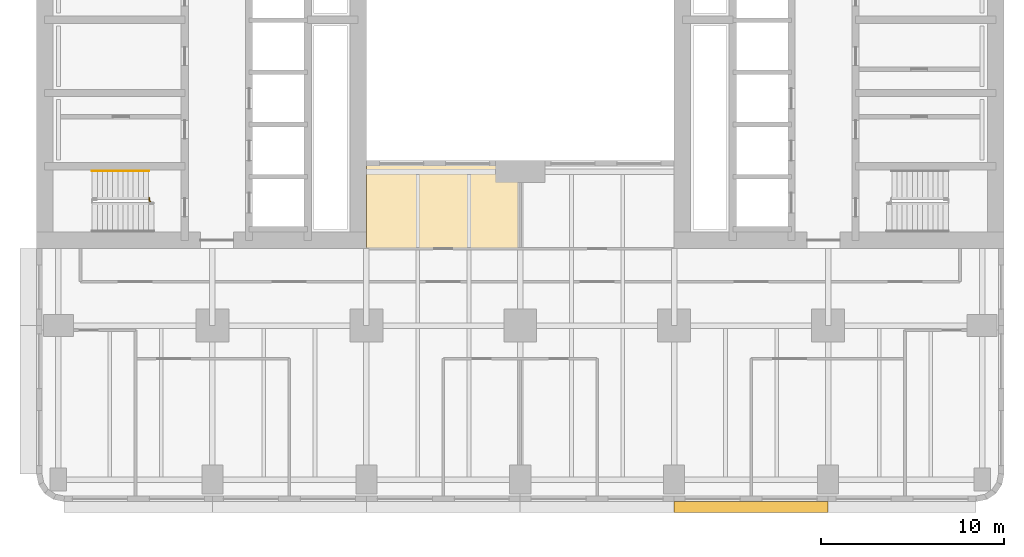
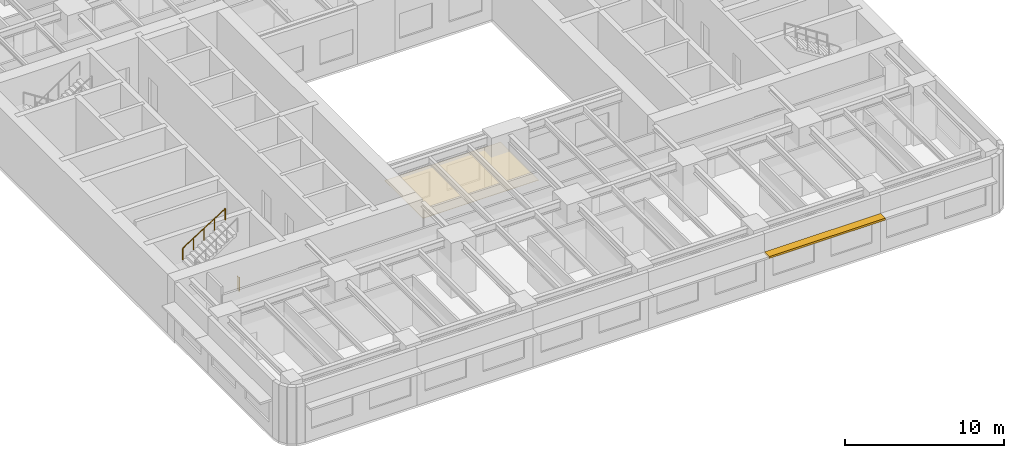
# One storey, part 10 of 14: 2 railings, 1 covering, 1 shading device.
"""IFC4 building model written with IfcOpenShell, lengths in metres."""

import ifcopenshell
import ifcopenshell.guid

model = None  # the IFC model being written
_history = None  # IfcOwnerHistory: only IFC2X3 demands one
_inside = {}  # id of a spatial element -> (the spatial element, [elements in it])
_under = {}  # id of a project, library or spatial element -> (it, [spatial elements below it])
_declared = {}  # id of a project -> (the project, [libraries it declares])
_typed = {}  # id of a type object -> (the type object, [elements of that type])
_made_of = {}  # id of a material, layer set ... -> (it, [elements and type objects made of it])


def new_model(schema):
    """Start an empty IFC model of exactly this schema.

    Asked for "IFC4X3", IfcOpenShell would pick the latest addendum, in which some entities
    have other attributes; the version numbers below select the first issue.
    IFC2X3 requires an IfcOwnerHistory on every rooted entity: one is made here for all.
    """
    global model, _history
    if schema == "IFC4X3":
        model = ifcopenshell.file(schema_version=(4, 3, 0, 0))
    else:
        model = ifcopenshell.file(schema=schema)
    _inside.clear()
    _under.clear()
    _declared.clear()
    _typed.clear()
    _made_of.clear()
    _history = None
    if model.schema == "IFC2X3":
        org = make("IfcOrganization", Name="unknown")
        user = make(
            "IfcPersonAndOrganization",
            ThePerson=make("IfcPerson", FamilyName="unknown"),
            TheOrganization=org,
        )
        app = make(
            "IfcApplication",
            ApplicationDeveloper=org,
            Version="unknown",
            ApplicationFullName="unknown",
            ApplicationIdentifier="unknown",
        )
        _history = make(
            "IfcOwnerHistory",
            OwningUser=user,
            OwningApplication=app,
            ChangeAction="ADDED",
            CreationDate=0,
        )
    return model


def make(cls, **values):
    """One entity of the class cls with the attributes given. An attribute that is None is left unset."""
    return model.create_entity(
        cls, **{name: value for name, value in values.items() if value is not None}
    )


def rooted(cls, **values):
    """An entity with a GlobalId (a new one), such as an element, a storey or a relation."""
    return make(cls, GlobalId=ifcopenshell.guid.new(), OwnerHistory=_history, **values)


def si_unit(unit_type, name, prefix=None):
    """IfcSIUnit, for example si_unit("LENGTHUNIT", "METRE", prefix="MILLI")."""
    return make("IfcSIUnit", UnitType=unit_type, Prefix=prefix, Name=name)


def assignment(units):
    """IfcUnitAssignment: the units of a project."""
    return None if units is None else make("IfcUnitAssignment", Units=units)


def point(xyz):
    """IfcCartesianPoint."""
    return None if xyz is None else make("IfcCartesianPoint", Coordinates=xyz)


def direction(xyz):
    """IfcDirection."""
    return None if xyz is None else make("IfcDirection", DirectionRatios=xyz)


def frame(location, z_axis=None, x_axis=None):
    """IfcAxis2Placement3D, a coordinate frame: its origin and axes. An axis left out is left unset."""
    return make(
        "IfcAxis2Placement3D",
        Location=point(location),
        Axis=direction(z_axis),
        RefDirection=direction(x_axis),
    )


def frame_2d(location, x_axis=None):
    """IfcAxis2Placement2D, a coordinate frame in the plane: its origin and x axis."""
    return make(
        "IfcAxis2Placement2D", Location=point(location), RefDirection=direction(x_axis)
    )


def origin():
    """The frame at (0, 0, 0) with its axes left unset."""
    return frame((0.0, 0.0, 0.0))


def origin_2d():
    """The frame at (0, 0) in the plane with its x axis left unset."""
    return frame_2d((0.0, 0.0))


def place(relative_to, where):
    """IfcLocalPlacement: puts the frame where relative to a parent placement (None: the world)."""
    return make(
        "IfcLocalPlacement", PlacementRelTo=relative_to, RelativePlacement=where
    )


def context(
    kind, dimensions, precision=None, world=None, true_north=None, identifier=None
):
    """IfcGeometricRepresentationContext, for example the 3D "Model" context."""
    return make(
        "IfcGeometricRepresentationContext",
        ContextIdentifier=identifier,
        ContextType=kind,
        CoordinateSpaceDimension=dimensions,
        Precision=precision,
        WorldCoordinateSystem=world,
        TrueNorth=true_north,
    )


def subcontext(parent, identifier, kind, view, scale=None):
    """IfcGeometricRepresentationSubContext, for example "Body" below "Model"."""
    return make(
        "IfcGeometricRepresentationSubContext",
        ContextIdentifier=identifier,
        ContextType=kind,
        ParentContext=parent,
        TargetScale=scale,
        TargetView=view,
    )


def project(units=None, contexts=None):
    """IfcProject with its units and contexts."""
    return rooted(
        "IfcProject",
        Name="project",
        RepresentationContexts=contexts,
        UnitsInContext=assignment(units),
    )


def spatial(cls, under=None, at=None, **own):
    """A site, building, storey or space (cls), placed at a placement, below another one or the project."""
    s = rooted(cls, ObjectPlacement=at, **own)
    if under is not None:
        _under.setdefault(under.id(), (under, []))[1].append(s)
    return s


def polyline(points):
    """IfcPolyline through the points."""
    return make("IfcPolyline", Points=[point(p) for p in points])


def profile(cls, at=None, kind="AREA", **sizes):
    """A parametric profile (cls). Its sizes go by their IFC names, for example OverallWidth=200.0."""
    return make(cls, ProfileType=kind, Position=at, **sizes)


def rectangle(**sizes):
    """IfcRectangleProfileDef."""
    return profile("IfcRectangleProfileDef", **sizes)


def circle(**sizes):
    """IfcCircleProfileDef."""
    return profile("IfcCircleProfileDef", **sizes)


def outline(outer, holes=None, kind="AREA"):
    """IfcArbitraryClosedProfileDef: a profile drawn as a closed curve; with holes, ...WithVoids."""
    if holes is None:
        return make("IfcArbitraryClosedProfileDef", ProfileType=kind, OuterCurve=outer)
    return make(
        "IfcArbitraryProfileDefWithVoids",
        ProfileType=kind,
        OuterCurve=outer,
        InnerCurves=holes,
    )


def extrude(swept, where, along, depth):
    """IfcExtrudedAreaSolid: the profile swept, set in the frame where, extruded along a direction by depth."""
    return make(
        "IfcExtrudedAreaSolid",
        SweptArea=swept,
        Position=where,
        ExtrudedDirection=direction(along),
        Depth=depth,
    )


def shape(context_of_items, identifier, shape_type, items):
    """IfcShapeRepresentation: the items that make up one representation, for example the "Body"."""
    return make(
        "IfcShapeRepresentation",
        ContextOfItems=context_of_items,
        RepresentationIdentifier=identifier,
        RepresentationType=shape_type,
        Items=items,
    )


def material(Name=None, Category=None):
    """IfcMaterial."""
    return make("IfcMaterial", Name=Name, Category=Category)


def layer(
    of_material, thickness, ventilated=None, Name=None, Category=None, Priority=None
):
    """IfcMaterialLayer: one layer of a wall or slab, of a material (None: an air gap)."""
    return make(
        "IfcMaterialLayer",
        Material=of_material,
        LayerThickness=thickness,
        IsVentilated=ventilated,
        Name=Name,
        Category=Category,
        Priority=Priority,
    )


def layer_set(layers, Name=None):
    """IfcMaterialLayerSet."""
    return make("IfcMaterialLayerSet", MaterialLayers=layers, LayerSetName=Name)


def made_of(thing, what):
    """Note that an element or type object is made of a material, layer set ...; save() writes the relation."""
    if what is not None:
        _made_of.setdefault(what.id(), (what, []))[1].append(thing)
    return thing


def type_object(cls, material=None, **own):
    """A type object (cls), such as IfcWallType, which elements share."""
    return made_of(rooted(cls, **own), material)


def element(
    cls,
    number,
    at=None,
    inside=None,
    cuts=None,
    type_object=None,
    material=None,
    context=None,
    identifier="Body",
    shape_type=None,
    held_by="IfcProductDefinitionShape",
    body=None,
    shapes=None,
    **own,
):
    """One element of the class cls, such as IfcWall. Its Tag is "e" and its number.

    at: its placement. inside: the storey or other place that contains it. cuts: it is an
    opening in that element (IfcRelVoidsElement). A single representation is given by context,
    identifier, shape_type and body (its items); several are given by shapes. held_by: the class
    of the entity that holds the representations. save() writes the other relations.
    """
    e = rooted(cls, Tag="e%d" % number, ObjectPlacement=at, **own)
    if body is not None:
        shapes = [shape(context, identifier, shape_type, body)]
    if shapes is not None:
        e.Representation = make(held_by, Representations=shapes)
    if inside is not None:
        _inside.setdefault(inside.id(), (inside, []))[1].append(e)
    if cuts is not None:
        rooted(
            "IfcRelVoidsElement", RelatingBuildingElement=cuts, RelatedOpeningElement=e
        )
    if type_object is not None:
        _typed.setdefault(type_object.id(), (type_object, []))[1].append(e)
    return made_of(e, material)


def aggregate(whole, parts):
    """IfcRelAggregates: a whole, such as a stair, and the parts it consists of."""
    return rooted("IfcRelAggregates", RelatingObject=whole, RelatedObjects=parts)


def save(model, path):
    """Write the relations noted so far, then the file.

    IfcRelAggregates (storeys below a building ...), IfcRelContainedInSpatialStructure (elements
    in a storey), IfcRelDefinesByType, IfcRelAssociatesMaterial and IfcRelDeclares: one each for
    every whole, place, type object, material and project.
    """
    for whole, parts in _under.values():
        aggregate(whole, parts)
    for where, things in _inside.values():
        rooted(
            "IfcRelContainedInSpatialStructure",
            RelatedElements=things,
            RelatingStructure=where,
        )
    for kind, things in _typed.values():
        rooted("IfcRelDefinesByType", RelatedObjects=things, RelatingType=kind)
    for what, things in _made_of.values():
        rooted("IfcRelAssociatesMaterial", RelatedObjects=things, RelatingMaterial=what)
    for by, libraries in _declared.values():
        rooted("IfcRelDeclares", RelatingContext=by, RelatedDefinitions=libraries)
    model.write(path)


model = new_model("IFC4")

# Units and contexts
model_context = context("Model", 3, precision=1e-05, world=origin(), true_north=direction((0.0, 1.0)))
body_context = subcontext(model_context, "Body", "Model", "MODEL_VIEW")
ifc_project = project(units=[si_unit("LENGTHUNIT", "METRE"), si_unit("AREAUNIT", "SQUARE_METRE"), si_unit("VOLUMEUNIT", "CUBIC_METRE"), si_unit("PLANEANGLEUNIT", "RADIAN"), si_unit("MASSUNIT", "GRAM", prefix="KILO")], contexts=[model_context])

# Site, building, storey
site_placement = place(None, origin())
site = spatial("IfcSite", under=ifc_project, at=site_placement, CompositionType="ELEMENT")
building_placement = place(site_placement, origin())
building = spatial("IfcBuilding", under=site, at=building_placement, Name="Claustro Exchange Tower", CompositionType="ELEMENT")
storey_placement = place(building_placement, frame((0.0, 0.0, 72.89990234375)))
storey = spatial("IfcBuildingStorey", under=building, at=storey_placement, Name="L16", CompositionType="ELEMENT", Elevation=72.89990234375)

# Covering
ifc_material_1 = material(Name="Perforated metal ceiling tiles", Category="steel")
ifc_layer_1 = layer(ifc_material_1, 0.030029296875)
ifc_layer_set_1 = layer_set([ifc_layer_1], Name="Perforated metal ceiling tiles")
covering_type = type_object("IfcCoveringType", Name="CL1 suspended metal ceiling", PredefinedType="CEILING", material=ifc_layer_set_1)
covering_placement = place(storey_placement, frame((0.0, 0.0, 3.0)))
element("IfcCovering", 1, at=covering_placement, inside=storey, type_object=covering_type, Name="Ceiling CL1 L16-09", PredefinedType="CEILING", context=body_context, shape_type="SweptSolid", body=[
    extrude(outline(polyline([(16.800048828125, 17.39990234375), (16.800048828125, 12.60009765625), (25.199951171875, 12.60009765625), (25.199951171875, 17.39990234375), (16.800048828125, 17.39990234375)])), origin(), (0.0, 0.0, 1.0), 0.030029296875),
])

# Railings
ifc_material_2 = material(Name="Steel balustrade, painted", Category="steel")
railing_type_1 = type_object("IfcRailingType", Name="GR2 1100 steel stair guard", PredefinedType="GUARDRAIL", material=ifc_material_2)
railing_1_placement = place(storey_placement, frame((5.0, 15.169921875, 0.0)))
element("IfcRailing", 2, at=railing_1_placement, inside=storey, type_object=railing_type_1, Name="Stair guard GR2 STWA L16", PredefinedType="GUARDRAIL", context=body_context, shape_type="SweptSolid", body=[
    extrude(circle(Radius=0.02392578125, at=origin_2d()), frame((0.0, 0.0, 1.076171875), z_axis=(0.0, 1.0, 0.0), x_axis=(-1.0, 0.0, 0.0)), (0.0, 0.0, 1.0), 0.030029296875),
    extrude(circle(Radius=0.02392578125, at=origin_2d()), frame((0.0, 0.030029296875, 1.076171875), z_axis=(-1.0, 0.0, 0.0), x_axis=(0.0, -1.0, 0.0)), (0.0, 0.0, 1.0), 0.054931640625),
    extrude(circle(Radius=0.02392578125, at=origin_2d()), frame((-0.054931640625, 0.030029296875, 1.076171875), z_axis=(0.0, 1.0, 0.0), x_axis=(-1.0, 0.0, 0.0)), (0.0, 0.0, 1.0), 0.179931640625),
    extrude(circle(Radius=0.02099609375, at=origin_2d()), origin(), (0.0, 0.0, 1.0), 1.052001953125),
    extrude(circle(Radius=0.02099609375, at=origin_2d()), frame((0.0, 0.030029296875, 0.0)), (0.0, 0.0, 1.0), 1.052001953125),
    extrude(circle(Radius=0.02099609375, at=origin_2d()), frame((-0.054931640625, 0.030029296875, 0.0)), (0.0, 0.0, 1.0), 1.052001953125),
    extrude(circle(Radius=0.02099609375, at=origin_2d()), frame((-0.054931640625, 0.2099609375, 0.0)), (0.0, 0.0, 1.0), 1.052001953125),
])
ifc_material_3 = material(Name="Stainless steel tube", Category="steel")
railing_type_2 = type_object("IfcRailingType", Name="HR1 900 stair handrail", PredefinedType="HANDRAIL", material=ifc_material_3)
railing_2_placement = place(storey_placement, frame((1.840087890625, 16.840087890625, 2.52001953125)))
element("IfcRailing", 3, at=railing_2_placement, inside=storey, type_object=railing_type_2, Name="Handrail HR1 stair STWA L16", PredefinedType="HANDRAIL", context=body_context, shape_type="SweptSolid", body=[
    extrude(circle(Radius=0.02392578125, at=origin_2d()), frame((0.0, 0.0, 0.8759765625), z_axis=(0.841167642724, 0.0, 0.540774441735), x_axis=(0.0, 1.0, 0.0)), (0.0, 0.0, 1.0), 3.661376953125),
    extrude(circle(Radius=0.02099609375, at=origin_2d()), origin(), (0.0, 0.0, 1.0), 0.851806640625),
    extrude(circle(Radius=0.02099609375, at=origin_2d()), frame((0.77001953125, 0.0, 0.4951171875)), (0.0, 0.0, 1.0), 0.851806640625),
    extrude(circle(Radius=0.02099609375, at=origin_2d()), frame((1.5400390625, 0.0, 0.989990234375)), (0.0, 0.0, 1.0), 0.851806640625),
    extrude(circle(Radius=0.02099609375, at=origin_2d()), frame((2.309814453125, 0.0, 1.48486328125)), (0.0, 0.0, 1.0), 0.851806640625),
    extrude(circle(Radius=0.02099609375, at=origin_2d()), frame((3.079833984375, 0.0, 1.97998046875)), (0.0, 0.0, 1.0), 0.851806640625),
])

# Shading device
ifc_material_4 = material(Name="Concrete HA-40 (C40/50), precast, white cement, acid-etched", Category="concrete")
ifc_layer_2 = layer(ifc_material_4, 0.14990234375)
ifc_layer_set_2 = layer_set([ifc_layer_2], Name="Concrete HA-40 (C40/50), precast, white cement, acid-etched")
shading_device_type = type_object("IfcShadingDeviceType", Name="SS1 600 precast concrete SUNSHADE", PredefinedType="SHUTTER", material=ifc_layer_set_2)
shading_device_placement = place(storey_placement, frame((37.800048828125, -1.5, 2.800048828125), z_axis=(0.0, 0.0, 1.0), x_axis=(-1.0, 0.0, 0.0)))
element("IfcShadingDevice", 4, at=shading_device_placement, inside=storey, type_object=shading_device_type, Name="Precast SUNSHADE SS1 L16", PredefinedType="SHUTTER", context=body_context, shape_type="SweptSolid", body=[
    extrude(rectangle(XDim=8.39990234375, YDim=0.60009765625, at=origin_2d()), origin(), (0.0, 0.0, 1.0), 0.14990234375),
])

save(model, "model.ifc")
